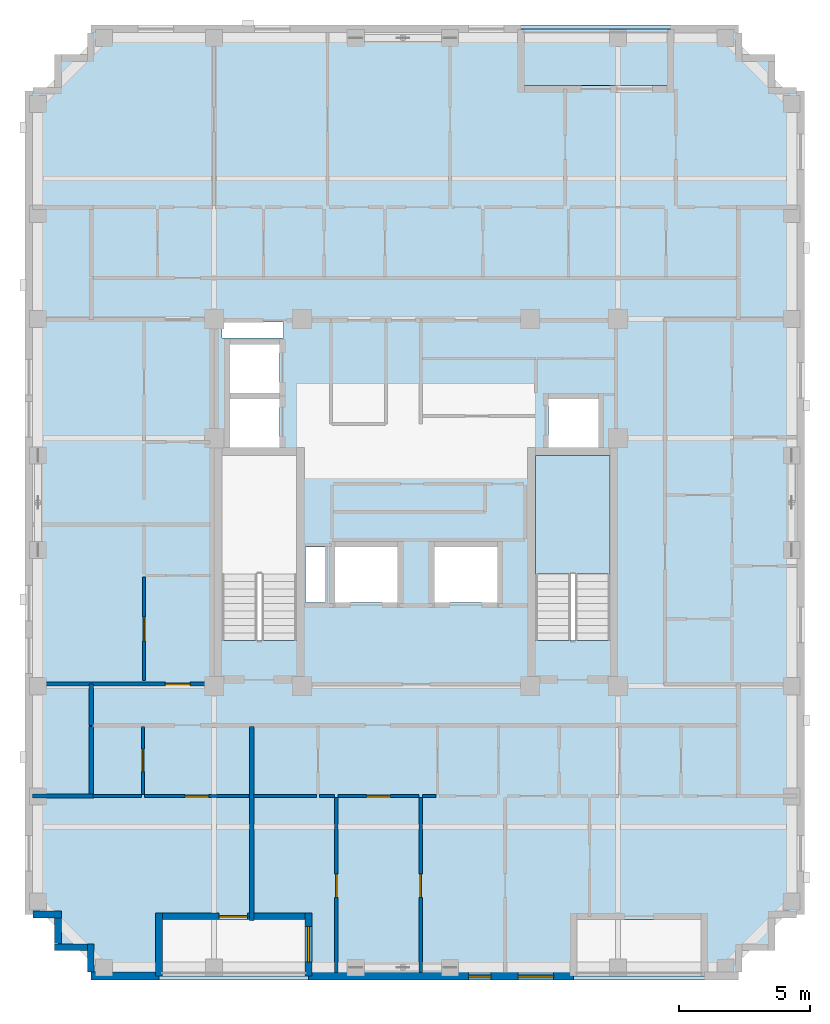
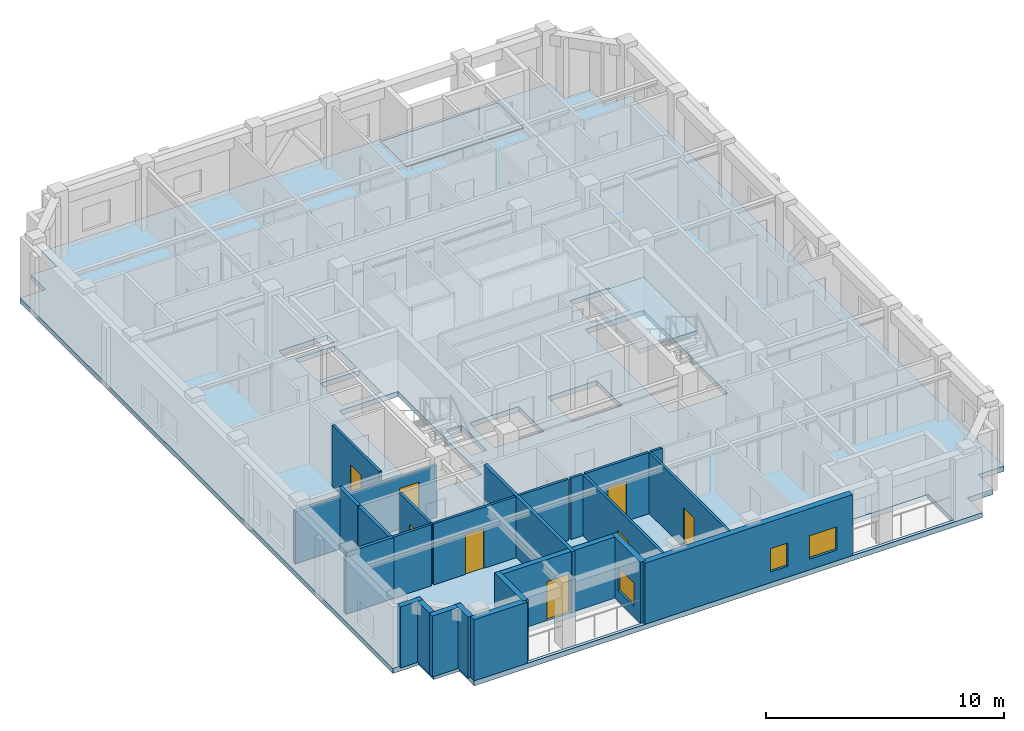
# One storey, part 2 of 11: 24 walls, 8 doors, 3 slabs, 3 windows, 11 openings, 1 element without a shape of its own.
"""IFC4 building model written with IfcOpenShell, lengths in metres."""

from ifc_helpers import new_model, si_unit, derived_unit, direction, frame, frame_2d, origin, place, context, subcontext, project, spatial, polyline, rectangle, outline, extrude, material, layer, layer_set, type_object, element, fill, aggregate, save


model = new_model("IFC4")

# Units and contexts
model_context = context("Model", 3, precision=1e-05, world=origin(), true_north=direction((0.0, 1.0)))
body_context = subcontext(model_context, "Body", "Model", "MODEL_VIEW")
ifc_project = project(units=[si_unit("LENGTHUNIT", "METRE"), si_unit("AREAUNIT", "SQUARE_METRE"), si_unit("VOLUMEUNIT", "CUBIC_METRE"), si_unit("PLANEANGLEUNIT", "RADIAN"), si_unit("MASSUNIT", "GRAM", prefix="KILO"), derived_unit("THERMALTRANSMITTANCEUNIT", [(si_unit("MASSUNIT", "GRAM", prefix="KILO"), 1), (si_unit("TIMEUNIT", "SECOND"), -3), (si_unit("THERMODYNAMICTEMPERATUREUNIT", "KELVIN"), -1)])], contexts=[model_context])

# Site, building, storey
site_placement = place(None, origin())
site = spatial("IfcSite", under=ifc_project, at=site_placement, CompositionType="ELEMENT")
building_placement = place(site_placement, origin())
building = spatial("IfcBuilding", under=site, at=building_placement, Name="Korrvale Station Residences", CompositionType="ELEMENT")
storey_placement = place(building_placement, frame((0.0, 0.0, 241.10009765625)))
storey = spatial("IfcBuildingStorey", under=building, at=storey_placement, Name="L70", CompositionType="ELEMENT", Elevation=241.10009765625)

# Slabs
ifc_material_1 = material(Name="Concrete C50/60", Category="concrete")
ifc_layer_1 = layer(ifc_material_1, 0.219970703125, Name="Concrete C50/60")
ifc_layer_set_1 = layer_set([ifc_layer_1], Name="Concrete C50/60")
slab_type_1 = type_object("IfcSlabType", Name="SLB-BAL-220", PredefinedType="FLOOR", material=ifc_layer_set_1)
slab_1_placement = place(storey_placement, frame((0.0, 0.0, -0.22021484375)))
element("IfcSlab", 1, at=slab_1_placement, inside=storey, type_object=slab_type_1, Name="L70 Recessed Loggia Balcony Slab BAL-L70-N1", PredefinedType="FLOOR", context=body_context, shape_type="SweptSolid", body=[
    extrude(outline(polyline([(29.5, 37.89990234375), (35.199951171875, 37.89990234375), (35.199951171875, 40.050048828125), (29.5, 40.050048828125), (29.5, 37.89990234375)])), origin(), (0.0, 0.0, 1.0), 0.22021484375),
])
ifc_layer_2 = layer(ifc_material_1, 0.260009765625, Name="Concrete C50/60")
ifc_layer_set_2 = layer_set([ifc_layer_2], Name="Concrete C50/60")
slab_type_2 = type_object("IfcSlabType", Name="SLB-FLR-260", PredefinedType="FLOOR", material=ifc_layer_set_2)
slab_2_placement = place(storey_placement, frame((0.0, 0.0, -0.260009765625)))
element("IfcSlab", 2, at=slab_2_placement, inside=storey, type_object=slab_type_2, Name="L70 Suspended Structural Floor Slab", PredefinedType="FLOOR", context=body_context, shape_type="SweptSolid", body=[
    extrude(outline(polyline([(13.10009765625, 3.800048828125), (37.800048828125, 3.800048828125), (37.800048828125, 5.050048828125), (39.050048828125, 5.050048828125), (39.050048828125, 6.300048828125), (40.300048828125, 6.300048828125), (40.300048828125, 37.699951171875), (39.050048828125, 37.699951171875), (39.050048828125, 38.949951171875), (37.800048828125, 38.949951171875), (37.800048828125, 40.199951171875), (13.10009765625, 40.199951171875), (13.10009765625, 38.949951171875), (11.85009765625, 38.949951171875), (11.85009765625, 37.699951171875), (10.60009765625, 37.699951171875), (10.60009765625, 6.300048828125), (11.85009765625, 6.300048828125), (11.85009765625, 5.050048828125), (13.10009765625, 5.050048828125), (13.10009765625, 3.800048828125)]), holes=[polyline([(20.949951171875, 16.751953125), (20.949951171875, 23.800048828125), (18.10009765625, 23.800048828125), (18.10009765625, 16.751953125), (20.949951171875, 16.751953125)]), polyline([(32.89990234375, 16.751953125), (32.89990234375, 23.800048828125), (30.050048828125, 23.800048828125), (30.050048828125, 16.751953125), (32.89990234375, 16.751953125)]), polyline([(18.39990234375, 24.10009765625), (20.300048828125, 24.10009765625), (20.300048828125, 25.949951171875), (18.39990234375, 25.949951171875), (18.39990234375, 24.10009765625)]), polyline([(18.39990234375, 26.169921875), (20.300048828125, 26.169921875), (20.300048828125, 28.02001953125), (18.39990234375, 28.02001953125), (18.39990234375, 26.169921875)]), polyline([(30.550048828125, 24.10009765625), (32.449951171875, 24.10009765625), (32.449951171875, 25.949951171875), (30.550048828125, 25.949951171875), (30.550048828125, 24.10009765625)]), polyline([(22.39990234375, 18.199951171875), (24.800048828125, 18.199951171875), (24.800048828125, 20.300048828125), (22.39990234375, 20.300048828125), (22.39990234375, 18.199951171875)]), polyline([(26.199951171875, 18.199951171875), (28.60009765625, 18.199951171875), (28.60009765625, 20.300048828125), (26.199951171875, 20.300048828125), (26.199951171875, 18.199951171875)]), polyline([(18.10009765625, 28.280029296875), (20.449951171875, 28.280029296875), (20.449951171875, 28.8798828125), (18.10009765625, 28.8798828125), (18.10009765625, 28.280029296875)]), polyline([(21.280029296875, 18.199951171875), (22.02001953125, 18.199951171875), (22.02001953125, 20.300048828125), (21.280029296875, 20.300048828125), (21.280029296875, 18.199951171875)]), polyline([(15.699951171875, 3.949951171875), (21.39990234375, 3.949951171875), (21.39990234375, 6.10009765625), (15.699951171875, 6.10009765625), (15.699951171875, 3.949951171875)]), polyline([(29.5, 37.89990234375), (35.199951171875, 37.89990234375), (35.199951171875, 40.050048828125), (29.5, 40.050048828125), (29.5, 37.89990234375)]), polyline([(31.5, 3.949951171875), (36.5, 3.949951171875), (36.5, 6.10009765625), (31.5, 6.10009765625), (31.5, 3.949951171875)])]), origin(), (0.0, 0.0, 1.0), 0.260009765625),
])

# Stair, slab
stair_type = type_object("IfcStairType", Name="STR-DL-1350-20R-1700", PredefinedType="HALF_TURN_STAIR", material=ifc_material_1)
stair_placement = place(storey_placement, origin())
stair = element("IfcStair", 3, at=stair_placement, inside=storey, type_object=stair_type, Name="L70 Exit Stair 2", PredefinedType="HALF_TURN_STAIR")
ifc_layer_3 = layer(ifc_material_1, 0.199951171875, Name="Concrete C50/60")
ifc_layer_set_3 = layer_set([ifc_layer_3], Name="Concrete C50/60")
slab_type_3 = type_object("IfcSlabType", Name="SLB-LND-200", PredefinedType="LANDING", material=ifc_layer_set_3)
slab_3_placement = place(storey_placement, frame((0.0, 0.0, 1.5)))
slab_3 = element("IfcSlab", 4, at=slab_3_placement, type_object=slab_type_3, Name="ST-2 landing 1", PredefinedType="LANDING", context=body_context, shape_type="SweptSolid", body=[
    extrude(outline(polyline([(32.89990234375, 19.27001953125), (32.89990234375, 23.800048828125), (30.050048828125, 23.800048828125), (30.050048828125, 19.27001953125), (32.89990234375, 19.27001953125)])), origin(), (0.0, 0.0, 1.0), 0.199951171875),
])
aggregate(stair, [slab_3])

# Wall, opening, window
ifc_material_2 = material(Name="Precast concrete C45/55", Category="concrete")
ifc_layer_4 = layer(ifc_material_2, 0.260009765625, Name="Precast concrete C45/55")
ifc_layer_set_4 = layer_set([ifc_layer_4], Name="Precast concrete C45/55")
wall_type_1 = type_object("IfcWallType", Name="WAL-EXT-LOG260", PredefinedType="SOLIDWALL", material=ifc_layer_set_4)
wall_1_placement = place(storey_placement, frame((21.39990234375, 3.9599609375, 0.0), z_axis=(0.0, 0.0, 1.0), x_axis=(0.0, 1.0, 0.0)))
wall_1 = element("IfcWall", 5, at=wall_1_placement, inside=storey, type_object=wall_type_1, Name="L70 Recessed Loggia Wall BAL-L70-S1-L", PredefinedType="SOLIDWALL", context=body_context, shape_type="SweptSolid", body=[
    extrude(rectangle(XDim=2.400146484375, YDim=0.260009765625, at=frame_2d((1.2001953125, 0.0))), origin(), (0.0, 0.0, 1.0), 3.139892578125),
])
opening_1_placement = place(wall_1_placement, frame((0.52490234375, 0.0, 0.550048828125)))
opening_1 = element("IfcOpeningElement", 6, at=opening_1_placement, cuts=wall_1, Name="Opening W-10", PredefinedType="OPENING", context=body_context, shape_type="SweptSolid", body=[
    extrude(rectangle(XDim=1.35009765625, YDim=1.199951171875, at=frame_2d((0.675048828125, 0.60009765625))), frame((0.0, 0.14013671875, 0.0), z_axis=(0.0, -1.0, 0.0), x_axis=(1.0, 0.0, 0.0)), (0.0, 0.0, 1.0), 0.280029296875),
])
ifc_material_3 = material(Name="Thermally broken aluminium frame with triple low-e glazing", Category="aluminium")
window_type_1 = type_object("IfcWindowType", Name="WIN-W10", PartitioningType="SINGLE_PANEL", PredefinedType="WINDOW", material=ifc_material_3)
window_1_placement = place(opening_1_placement, origin())
window_1 = element("IfcWindow", 7, at=window_1_placement, inside=storey, type_object=window_type_1, Name="L70 Punched Window 02", OverallHeight=1.199951171875, OverallWidth=1.35009765625, PartitioningType="SINGLE_PANEL", PredefinedType="WINDOW", context=body_context, shape_type="SweptSolid", body=[
    extrude(rectangle(XDim=1.35009765625, YDim=1.199951171875, at=frame_2d((0.675048828125, 0.60009765625))), frame((0.0, 0.030029296875, 0.0), z_axis=(0.0, -1.0, 0.0), x_axis=(1.0, 0.0, 0.0)), (0.0, 0.0, 1.0), 0.06005859375),
])
fill(opening_1, window_1)

# Wall, opening, door
wall_2_placement = place(storey_placement, frame((21.26611328125, 6.22998046875, 0.0), z_axis=(0.0, 0.0, 1.0), x_axis=(-1.0, 0.0, 0.0)))
wall_2 = element("IfcWall", 8, at=wall_2_placement, inside=storey, type_object=wall_type_1, Name="L70 Recessed Loggia Wall BAL-L70-S1-B", PredefinedType="SOLIDWALL", context=body_context, shape_type="SweptSolid", body=[
    extrude(rectangle(XDim=5.43212890625, YDim=0.260009765625, at=frame_2d((2.716064453125, 0.0))), origin(), (0.0, 0.0, 1.0), 3.139892578125),
])
opening_2_placement = place(wall_2_placement, frame((2.18701171875, 0.0, 0.0)))
opening_2 = element("IfcOpeningElement", 9, at=opening_2_placement, cuts=wall_2, Name="Opening BD-01", PredefinedType="OPENING", context=body_context, shape_type="SweptSolid", body=[
    extrude(rectangle(XDim=1.10009765625, YDim=2.0, at=frame_2d((0.550048828125, 1.0))), frame((0.0, 0.14013671875, 0.0), z_axis=(0.0, -1.0, 0.0), x_axis=(1.0, 0.0, 0.0)), (0.0, 0.0, 1.0), 0.280029296875),
])
ifc_material_4 = material(Name="Exterior thermally broken aluminium glazed balcony door", Category="aluminium")
door_type_1 = type_object("IfcDoorType", Name="DR-EXT-BAL", OperationType="NOTDEFINED", PredefinedType="DOOR", material=ifc_material_4)
door_1_placement = place(opening_2_placement, origin())
door_1 = element("IfcDoor", 10, at=door_1_placement, inside=storey, type_object=door_type_1, Name="L70 Loggia Balcony Door BAL-L70-S1", OperationType="SINGLE_SWING_LEFT", OverallHeight=2.0, OverallWidth=1.10009765625, PredefinedType="DOOR", context=body_context, shape_type="SweptSolid", body=[
    extrude(rectangle(XDim=1.10009765625, YDim=2.0, at=frame_2d((0.550048828125, 1.0))), frame((0.0, 0.02490234375, 0.0), z_axis=(0.0, -1.0, 0.0), x_axis=(1.0, 0.0, 0.0)), (0.0, 0.0, 1.0), 0.050048828125),
])
fill(opening_2, door_1)

# Walls
wall_3_placement = place(storey_placement, frame((15.699951171875, 6.360107421875, 0.0), z_axis=(0.0, 0.0, 1.0), x_axis=(0.0, -1.0, 0.0)))
element("IfcWall", 11, at=wall_3_placement, inside=storey, type_object=wall_type_1, Name="L70 Recessed Loggia Wall BAL-L70-S1-R", PredefinedType="SOLIDWALL", context=body_context, shape_type="SweptSolid", body=[
    extrude(rectangle(XDim=2.400146484375, YDim=0.260009765625, at=frame_2d((1.2001953125, 0.0))), origin(), (0.0, 0.0, 1.0), 3.139892578125),
])
wall_4_placement = place(storey_placement, frame((13.10009765625, 4.10205078125, 0.0), z_axis=(0.0, 0.0, 1.0), x_axis=(0.0, 1.0, 0.0)))
element("IfcWall", 12, at=wall_4_placement, inside=storey, type_object=wall_type_1, Name="L70 Serrated Corner Precast Step SW-1", PredefinedType="SOLIDWALL", context=body_context, shape_type="SweptSolid", body=[
    extrude(rectangle(XDim=1.077880859375, YDim=0.260009765625, at=frame_2d((0.5390625, 0.0))), origin(), (0.0, 0.0, 1.0), 3.139892578125),
])
wall_5_placement = place(storey_placement, frame((12.968017578125, 5.050048828125, 0.0), z_axis=(0.0, 0.0, 1.0), x_axis=(-1.0, 0.0, 0.0)))
element("IfcWall", 13, at=wall_5_placement, inside=storey, type_object=wall_type_1, Name="L70 Serrated Corner Precast Step SW-2", PredefinedType="SOLIDWALL", context=body_context, shape_type="SweptSolid", body=[
    extrude(rectangle(XDim=1.248046875, YDim=0.260009765625, at=frame_2d((0.6240234375, 0.0))), origin(), (0.0, 0.0, 1.0), 3.139892578125),
])
wall_6_placement = place(storey_placement, frame((11.85009765625, 5.181884765625, 0.0), z_axis=(0.0, 0.0, 1.0), x_axis=(0.0, 1.0, 0.0)))
element("IfcWall", 14, at=wall_6_placement, inside=storey, type_object=wall_type_1, Name="L70 Serrated Corner Precast Step SW-3", PredefinedType="SOLIDWALL", context=body_context, shape_type="SweptSolid", body=[
    extrude(rectangle(XDim=0.986083984375, YDim=0.260009765625, at=frame_2d((0.4931640625, 0.0))), origin(), (0.0, 0.0, 1.0), 3.139892578125),
])
wall_7_placement = place(storey_placement, frame((11.97998046875, 6.300048828125, 0.0), z_axis=(0.0, 0.0, 1.0), x_axis=(-1.0, 0.0, 0.0)))
element("IfcWall", 15, at=wall_7_placement, inside=storey, type_object=wall_type_1, Name="L70 Serrated Corner Precast Step SW-4", PredefinedType="SOLIDWALL", context=body_context, shape_type="SweptSolid", body=[
    extrude(rectangle(XDim=1.077880859375, YDim=0.260009765625, at=frame_2d((0.5390625, 0.0))), origin(), (0.0, 0.0, 1.0), 3.139892578125),
])

# Wall, openings, windows
ifc_layer_5 = layer(ifc_material_2, 0.300048828125, Name="Precast concrete C45/55")
ifc_layer_set_5 = layer_set([ifc_layer_5], Name="Precast concrete C45/55")
wall_type_2 = type_object("IfcWallType", Name="WAL-EXT-PC300", PredefinedType="SOLIDWALL", material=ifc_layer_set_5)
wall_8_placement = place(storey_placement, frame((31.5, 3.949951171875, 0.0), z_axis=(0.0, 0.0, 1.0), x_axis=(-1.0, 0.0, 0.0)))
wall_8 = element("IfcWall", 16, at=wall_8_placement, inside=storey, type_object=wall_type_2, Name="L70 South Exterior Precast Wall 2", PredefinedType="SOLIDWALL", context=body_context, shape_type="SweptSolid", body=[
    extrude(rectangle(XDim=10.10009765625, YDim=0.300048828125, at=frame_2d((5.050048828125, 0.0))), origin(), (0.0, 0.0, 1.0), 3.139892578125),
])
opening_3_placement = place(wall_8_placement, frame((3.14990234375, 0.0, 0.550048828125)))
opening_3 = element("IfcOpeningElement", 17, at=opening_3_placement, cuts=wall_8, Name="Opening W-11", PredefinedType="OPENING", context=body_context, shape_type="SweptSolid", body=[
    extrude(rectangle(XDim=0.85009765625, YDim=1.199951171875, at=frame_2d((0.425048828125, 0.60009765625))), frame((0.0, 0.16015625, 0.0), z_axis=(0.0, -1.0, 0.0), x_axis=(1.0, 0.0, 0.0)), (0.0, 0.0, 1.0), 0.320068359375),
])
opening_4_placement = place(wall_8_placement, frame((0.757080078125, 0.0, 0.550048828125)))
opening_4 = element("IfcOpeningElement", 18, at=opening_4_placement, cuts=wall_8, Name="Opening W-10", PredefinedType="OPENING", context=body_context, shape_type="SweptSolid", body=[
    extrude(rectangle(XDim=1.35009765625, YDim=1.199951171875, at=frame_2d((0.675048828125, 0.60009765625))), frame((0.0, 0.16015625, 0.0), z_axis=(0.0, -1.0, 0.0), x_axis=(1.0, 0.0, 0.0)), (0.0, 0.0, 1.0), 0.320068359375),
])
window_2_placement = place(opening_4_placement, origin())
window_2 = element("IfcWindow", 19, at=window_2_placement, inside=storey, type_object=window_type_1, Name="L70 Punched Window 04", OverallHeight=1.199951171875, OverallWidth=1.35009765625, PartitioningType="SINGLE_PANEL", PredefinedType="WINDOW", context=body_context, shape_type="SweptSolid", body=[
    extrude(rectangle(XDim=1.35009765625, YDim=1.199951171875, at=frame_2d((0.675048828125, 0.60009765625))), frame((0.0, 0.030029296875, 0.0), z_axis=(0.0, -1.0, 0.0), x_axis=(1.0, 0.0, 0.0)), (0.0, 0.0, 1.0), 0.06005859375),
])
fill(opening_4, window_2)
window_type_2 = type_object("IfcWindowType", Name="WIN-W11", PartitioningType="SINGLE_PANEL", PredefinedType="WINDOW", material=ifc_material_3)
window_3_placement = place(opening_3_placement, origin())
window_3 = element("IfcWindow", 20, at=window_3_placement, inside=storey, type_object=window_type_2, Name="L70 Punched Window 03", OverallHeight=1.199951171875, OverallWidth=0.85009765625, PartitioningType="SINGLE_PANEL", PredefinedType="WINDOW", context=body_context, shape_type="SweptSolid", body=[
    extrude(rectangle(XDim=0.85009765625, YDim=1.199951171875, at=frame_2d((0.425048828125, 0.60009765625))), frame((0.0, 0.030029296875, 0.0), z_axis=(0.0, -1.0, 0.0), x_axis=(1.0, 0.0, 0.0)), (0.0, 0.0, 1.0), 0.06005859375),
])
fill(opening_3, window_3)

# Wall
wall_9_placement = place(storey_placement, frame((15.699951171875, 3.949951171875, 0.0), z_axis=(0.0, 0.0, 1.0), x_axis=(-1.0, 0.0, 0.0)))
element("IfcWall", 21, at=wall_9_placement, inside=storey, type_object=wall_type_2, Name="L70 South Exterior Precast Wall 3", PredefinedType="SOLIDWALL", context=body_context, shape_type="SweptSolid", body=[
    extrude(rectangle(XDim=2.599853515625, YDim=0.300048828125, at=frame_2d((1.2998046875, 0.0))), origin(), (0.0, 0.0, 1.0), 3.139892578125),
])

# Wall, opening, door
ifc_material_5 = material(Name="Acoustic steel-stud gypsum board partition", Category="steel")
ifc_layer_6 = layer(ifc_material_5, 0.1201171875, Name="Acoustic steel-stud gypsum board partition")
ifc_layer_set_6 = layer_set([ifc_layer_6], Name="Acoustic steel-stud gypsum board partition")
wall_type_3 = type_object("IfcWallType", Name="WAL-PART-125", PredefinedType="PARTITIONING", material=ifc_layer_set_6)
wall_10_placement = place(storey_placement, frame((15.090087890625, 10.8701171875, 0.0), z_axis=(0.0, 0.0, 1.0), x_axis=(0.0, 1.0, 0.0)))
wall_10 = element("IfcWall", 22, at=wall_10_placement, inside=storey, type_object=wall_type_3, Name="L70 Suite Partition U01-V01", PredefinedType="PARTITIONING", context=body_context, shape_type="SweptSolid", body=[
    extrude(rectangle(XDim=2.599853515625, YDim=0.1201171875, at=frame_2d((1.2998046875, 0.0))), origin(), (0.0, 0.0, 1.0), 3.139892578125),
])
opening_5_placement = place(wall_10_placement, frame((0.8701171875, 0.0, 0.0)))
opening_5 = element("IfcOpeningElement", 23, at=opening_5_placement, cuts=wall_10, Name="Opening DB-860", PredefinedType="OPENING", context=body_context, shape_type="SweptSolid", body=[
    extrude(rectangle(XDim=0.860107421875, YDim=2.050048828125, at=frame_2d((0.43017578125, 1.02490234375))), frame((0.0, 0.070068359375, 0.0), z_axis=(0.0, -1.0, 0.0), x_axis=(1.0, 0.0, 0.0)), (0.0, 0.0, 1.0), 0.14013671875),
])
ifc_material_6 = material(Name="Moisture-resistant solid-core bathroom door", Category="timber")
door_type_2 = type_object("IfcDoorType", Name="DR-BATH-860", OperationType="NOTDEFINED", PredefinedType="DOOR", material=ifc_material_6)
door_2_placement = place(opening_5_placement, origin())
door_2 = element("IfcDoor", 24, at=door_2_placement, inside=storey, type_object=door_type_2, Name="L70 Studio Apartment L70-U01 Bathroom Door", OperationType="SINGLE_SWING_LEFT", OverallHeight=2.050048828125, OverallWidth=0.860107421875, PredefinedType="DOOR", context=body_context, shape_type="SweptSolid", body=[
    extrude(rectangle(XDim=0.860107421875, YDim=2.050048828125, at=frame_2d((0.43017578125, 1.02490234375))), frame((0.0, 0.02490234375, 0.0), z_axis=(0.0, -1.0, 0.0), x_axis=(1.0, 0.0, 0.0)), (0.0, 0.0, 1.0), 0.050048828125),
])
fill(opening_5, door_2)

# Wall
wall_11_placement = place(storey_placement, frame((13.179931640625, 10.81005859375, 0.0), z_axis=(0.0, 0.0, 1.0), x_axis=(1.0, 0.0, 0.0)))
element("IfcWall", 25, at=wall_11_placement, inside=storey, type_object=wall_type_3, Name="L70 Suite Partition U01-H02", PredefinedType="PARTITIONING", context=body_context, shape_type="SweptSolid", body=[
    extrude(rectangle(XDim=1.85009765625, YDim=0.1201171875, at=frame_2d((0.925048828125, 0.0))), origin(), (0.0, 0.0, 1.0), 3.139892578125),
])

# Wall, opening, door
wall_12_placement = place(storey_placement, frame((15.14990234375, 10.81005859375, 0.0), z_axis=(0.0, 0.0, 1.0), x_axis=(1.0, 0.0, 0.0)))
wall_12 = element("IfcWall", 26, at=wall_12_placement, inside=storey, type_object=wall_type_3, Name="L70 Suite Partition U01-H12", PredefinedType="PARTITIONING", context=body_context, shape_type="SweptSolid", body=[
    extrude(rectangle(XDim=3.989013671875, YDim=0.1201171875, at=frame_2d((1.99462890625, 0.0))), origin(), (0.0, 0.0, 1.0), 3.139892578125),
])
opening_6_placement = place(wall_12_placement, frame((1.5439453125, 0.0, 0.0)))
opening_6 = element("IfcOpeningElement", 27, at=opening_6_placement, cuts=wall_12, Name="Opening DI-900", PredefinedType="OPENING", context=body_context, shape_type="SweptSolid", body=[
    extrude(rectangle(XDim=0.89990234375, YDim=2.050048828125, at=frame_2d((0.449951171875, 1.02490234375))), frame((0.0, 0.070068359375, 0.0), z_axis=(0.0, -1.0, 0.0), x_axis=(1.0, 0.0, 0.0)), (0.0, 0.0, 1.0), 0.14013671875),
])
ifc_material_7 = material(Name="Painted solid-core timber interior room door", Category="wood")
door_type_3 = type_object("IfcDoorType", Name="DR-INT-900", OperationType="NOTDEFINED", PredefinedType="DOOR", material=ifc_material_7)
door_3_placement = place(opening_6_placement, origin())
door_3 = element("IfcDoor", 28, at=door_3_placement, inside=storey, type_object=door_type_3, Name="L70 Studio Apartment L70-U01 Kitchen Door", OperationType="SINGLE_SWING_RIGHT", OverallHeight=2.050048828125, OverallWidth=0.89990234375, PredefinedType="DOOR", context=body_context, shape_type="SweptSolid", body=[
    extrude(rectangle(XDim=0.89990234375, YDim=2.050048828125, at=frame_2d((0.449951171875, 1.02490234375))), frame((0.0, 0.02490234375, 0.0), z_axis=(0.0, -1.0, 0.0), x_axis=(1.0, 0.0, 0.0)), (0.0, 0.0, 1.0), 0.050048828125),
])
fill(opening_6, door_3)

# Walls
wall_13_placement = place(storey_placement, frame((19.299072265625, 10.81005859375, 0.0), z_axis=(0.0, 0.0, 1.0), x_axis=(1.0, 0.0, 0.0)))
element("IfcWall", 29, at=wall_13_placement, inside=storey, type_object=wall_type_3, Name="L70 Suite Partition U02-H07", PredefinedType="PARTITIONING", context=body_context, shape_type="SweptSolid", body=[
    extrude(rectangle(XDim=2.39990234375, YDim=0.1201171875, at=frame_2d((1.199951171875, 0.0))), origin(), (0.0, 0.0, 1.0), 3.139892578125),
])
wall_14_placement = place(storey_placement, frame((21.819091796875, 10.81005859375, 0.0), z_axis=(0.0, 0.0, 1.0), x_axis=(1.0, 0.0, 0.0)))
element("IfcWall", 30, at=wall_14_placement, inside=storey, type_object=wall_type_3, Name="L70 Suite Partition U02-H17", PredefinedType="PARTITIONING", context=body_context, shape_type="SweptSolid", body=[
    extrude(rectangle(XDim=0.579833984375, YDim=0.1201171875, at=frame_2d((0.2900390625, 0.0))), origin(), (0.0, 0.0, 1.0), 3.139892578125),
])

# Wall, opening, door
wall_15_placement = place(storey_placement, frame((22.51904296875, 10.81005859375, 0.0), z_axis=(0.0, 0.0, 1.0), x_axis=(1.0, 0.0, 0.0)))
wall_15 = element("IfcWall", 31, at=wall_15_placement, inside=storey, type_object=wall_type_3, Name="L70 Suite Partition U02-H18", PredefinedType="PARTITIONING", context=body_context, shape_type="SweptSolid", body=[
    extrude(rectangle(XDim=3.099853515625, YDim=0.1201171875, at=frame_2d((1.5498046875, 0.0))), origin(), (0.0, 0.0, 1.0), 3.139892578125),
])
opening_7_placement = place(wall_15_placement, frame((1.10009765625, 0.0, 0.0)))
opening_7 = element("IfcOpeningElement", 32, at=opening_7_placement, cuts=wall_15, Name="Opening DI-900", PredefinedType="OPENING", context=body_context, shape_type="SweptSolid", body=[
    extrude(rectangle(XDim=0.89990234375, YDim=2.050048828125, at=frame_2d((0.449951171875, 1.02490234375))), frame((0.0, 0.070068359375, 0.0), z_axis=(0.0, -1.0, 0.0), x_axis=(1.0, 0.0, 0.0)), (0.0, 0.0, 1.0), 0.14013671875),
])
door_4_placement = place(opening_7_placement, origin())
door_4 = element("IfcDoor", 33, at=door_4_placement, inside=storey, type_object=door_type_3, Name="L70 Studio Apartment L70-U02 Kitchen Door", OperationType="SINGLE_SWING_LEFT", OverallHeight=2.050048828125, OverallWidth=0.89990234375, PredefinedType="DOOR", context=body_context, shape_type="SweptSolid", body=[
    extrude(rectangle(XDim=0.89990234375, YDim=2.050048828125, at=frame_2d((0.449951171875, 1.02490234375))), frame((0.0, 0.02490234375, 0.0), z_axis=(0.0, -1.0, 0.0), x_axis=(1.0, 0.0, 0.0)), (0.0, 0.0, 1.0), 0.050048828125),
])
fill(opening_7, door_4)

# Wall
wall_16_placement = place(storey_placement, frame((25.739013671875, 10.81005859375, 0.0), z_axis=(0.0, 0.0, 1.0), x_axis=(1.0, 0.0, 0.0)))
element("IfcWall", 34, at=wall_16_placement, inside=storey, type_object=wall_type_3, Name="L70 Suite Partition U02-H19", PredefinedType="PARTITIONING", context=body_context, shape_type="SweptSolid", body=[
    extrude(rectangle(XDim=0.52001953125, YDim=0.1201171875, at=frame_2d((0.260009765625, 0.0))), origin(), (0.0, 0.0, 1.0), 3.139892578125),
])

# Wall, opening, door
wall_17_placement = place(storey_placement, frame((22.458984375, 4.080078125, 0.0), z_axis=(0.0, 0.0, 1.0), x_axis=(0.0, 1.0, 0.0)))
wall_17 = element("IfcWall", 35, at=wall_17_placement, inside=storey, type_object=wall_type_3, Name="L70 Suite Partition U02-V78", PredefinedType="PARTITIONING", context=body_context, shape_type="SweptSolid", body=[
    extrude(rectangle(XDim=6.669921875, YDim=0.1201171875, at=frame_2d((3.3349609375, 0.0))), origin(), (0.0, 0.0, 1.0), 3.139892578125),
])
opening_8_placement = place(wall_17_placement, frame((2.8701171875, 0.0, 0.0)))
opening_8 = element("IfcOpeningElement", 36, at=opening_8_placement, cuts=wall_17, Name="Opening DI-900", PredefinedType="OPENING", context=body_context, shape_type="SweptSolid", body=[
    extrude(rectangle(XDim=0.89990234375, YDim=2.050048828125, at=frame_2d((0.449951171875, 1.02490234375))), frame((0.0, 0.070068359375, 0.0), z_axis=(0.0, -1.0, 0.0), x_axis=(1.0, 0.0, 0.0)), (0.0, 0.0, 1.0), 0.14013671875),
])
door_5_placement = place(opening_8_placement, origin())
door_5 = element("IfcDoor", 37, at=door_5_placement, inside=storey, type_object=door_type_3, Name="L70 Studio Apartment L70-U02 Formal Dining Room Door", OperationType="SINGLE_SWING_RIGHT", OverallHeight=2.050048828125, OverallWidth=0.89990234375, PredefinedType="DOOR", context=body_context, shape_type="SweptSolid", body=[
    extrude(rectangle(XDim=0.89990234375, YDim=2.050048828125, at=frame_2d((0.449951171875, 1.02490234375))), frame((0.0, 0.02490234375, 0.0), z_axis=(0.0, -1.0, 0.0), x_axis=(1.0, 0.0, 0.0)), (0.0, 0.0, 1.0), 0.050048828125),
])
fill(opening_8, door_5)

wall_18_placement = place(storey_placement, frame((25.678955078125, 4.080078125, 0.0), z_axis=(0.0, 0.0, 1.0), x_axis=(0.0, 1.0, 0.0)))
wall_18 = element("IfcWall", 38, at=wall_18_placement, inside=storey, type_object=wall_type_3, Name="L70 Suite Partition U02-V89", PredefinedType="PARTITIONING", context=body_context, shape_type="SweptSolid", body=[
    extrude(rectangle(XDim=6.669921875, YDim=0.1201171875, at=frame_2d((3.3349609375, 0.0))), origin(), (0.0, 0.0, 1.0), 3.139892578125),
])
opening_9_placement = place(wall_18_placement, frame((2.8701171875, 0.0, 0.0)))
opening_9 = element("IfcOpeningElement", 39, at=opening_9_placement, cuts=wall_18, Name="Opening DI-900", PredefinedType="OPENING", context=body_context, shape_type="SweptSolid", body=[
    extrude(rectangle(XDim=0.89990234375, YDim=2.050048828125, at=frame_2d((0.449951171875, 1.02490234375))), frame((0.0, 0.070068359375, 0.0), z_axis=(0.0, -1.0, 0.0), x_axis=(1.0, 0.0, 0.0)), (0.0, 0.0, 1.0), 0.14013671875),
])
door_6_placement = place(opening_9_placement, origin())
door_6 = element("IfcDoor", 40, at=door_6_placement, inside=storey, type_object=door_type_3, Name="L70 Studio Apartment L70-U02 Walk-In Wardrobe Door", OperationType="SINGLE_SWING_LEFT", OverallHeight=2.050048828125, OverallWidth=0.89990234375, PredefinedType="DOOR", context=body_context, shape_type="SweptSolid", body=[
    extrude(rectangle(XDim=0.89990234375, YDim=2.050048828125, at=frame_2d((0.449951171875, 1.02490234375))), frame((0.0, 0.02490234375, 0.0), z_axis=(0.0, -1.0, 0.0), x_axis=(1.0, 0.0, 0.0)), (0.0, 0.0, 1.0), 0.050048828125),
])
fill(opening_9, door_6)

wall_19_placement = place(storey_placement, frame((15.1298828125, 15.2099609375, 0.0), z_axis=(0.0, 0.0, 1.0), x_axis=(0.0, 1.0, 0.0)))
wall_19 = element("IfcWall", 41, at=wall_19_placement, inside=storey, type_object=wall_type_3, Name="L70 Suite Partition U04-V12", PredefinedType="PARTITIONING", context=body_context, shape_type="SweptSolid", body=[
    extrude(rectangle(XDim=3.946044921875, YDim=0.1201171875, at=frame_2d((1.97314453125, 0.0))), origin(), (0.0, 0.0, 1.0), 3.139892578125),
])
opening_10_placement = place(wall_19_placement, frame((1.52294921875, 0.0, 0.0)))
opening_10 = element("IfcOpeningElement", 42, at=opening_10_placement, cuts=wall_19, Name="Opening DI-900", PredefinedType="OPENING", context=body_context, shape_type="SweptSolid", body=[
    extrude(rectangle(XDim=0.89990234375, YDim=2.050048828125, at=frame_2d((0.449951171875, 1.02490234375))), frame((0.0, 0.070068359375, 0.0), z_axis=(0.0, -1.0, 0.0), x_axis=(1.0, 0.0, 0.0)), (0.0, 0.0, 1.0), 0.14013671875),
])
door_7_placement = place(opening_10_placement, origin())
door_7 = element("IfcDoor", 43, at=door_7_placement, inside=storey, type_object=door_type_3, Name="L70 Studio Apartment L70-U04 Kitchen Door", OperationType="SINGLE_SWING_LEFT", OverallHeight=2.050048828125, OverallWidth=0.89990234375, PredefinedType="DOOR", context=body_context, shape_type="SweptSolid", body=[
    extrude(rectangle(XDim=0.89990234375, YDim=2.050048828125, at=frame_2d((0.449951171875, 1.02490234375))), frame((0.0, 0.02490234375, 0.0), z_axis=(0.0, -1.0, 0.0), x_axis=(1.0, 0.0, 0.0)), (0.0, 0.0, 1.0), 0.050048828125),
])
fill(opening_10, door_7)

# Walls
ifc_material_8 = material(Name="Fire-rated twin-stud gypsum and mineral wool shaftwall assembly", Category="gypsum")
ifc_layer_7 = layer(ifc_material_8, 0.159912109375, Name="Fire-rated twin-stud gypsum and mineral wool shaftwall assembly")
ifc_layer_set_7 = layer_set([ifc_layer_7], Name="Fire-rated twin-stud gypsum and mineral wool shaftwall assembly")
wall_type_4 = type_object("IfcWallType", Name="WAL-PART-200", PredefinedType="PARTITIONING", material=ifc_layer_set_7)
wall_20_placement = place(storey_placement, frame((13.1201171875, 13.510009765625, 0.0), z_axis=(0.0, 0.0, 1.0), x_axis=(0.0, 1.0, 0.0)))
element("IfcWall", 44, at=wall_20_placement, inside=storey, type_object=wall_type_4, Name="L70 Corridor South West Cap", PredefinedType="PARTITIONING", context=body_context, shape_type="SweptSolid", body=[
    extrude(rectangle(XDim=1.580078125, YDim=0.159912109375, at=frame_2d((0.7900390625, 0.0))), origin(), (0.0, 0.0, 1.0), 3.139892578125),
])
wall_21_placement = place(storey_placement, frame((10.8798828125, 10.81005859375, 0.0), z_axis=(0.0, 0.0, 1.0), x_axis=(1.0, 0.0, 0.0)))
element("IfcWall", 45, at=wall_21_placement, inside=storey, type_object=wall_type_4, Name="L70 Corner Step Wall U01-L", PredefinedType="PARTITIONING", context=body_context, shape_type="SweptSolid", body=[
    extrude(rectangle(XDim=2.340087890625, YDim=0.159912109375, at=frame_2d((1.169921875, 0.0))), origin(), (0.0, 0.0, 1.0), 3.139892578125),
])
wall_22_placement = place(storey_placement, frame((13.1201171875, 10.81005859375, 0.0), z_axis=(0.0, 0.0, 1.0), x_axis=(0.0, 1.0, 0.0)))
element("IfcWall", 46, at=wall_22_placement, inside=storey, type_object=wall_type_4, Name="L70 Corner Step Cheek U01-L", PredefinedType="PARTITIONING", context=body_context, shape_type="SweptSolid", body=[
    extrude(rectangle(XDim=2.659912109375, YDim=0.159912109375, at=frame_2d((1.330078125, 0.0))), origin(), (0.0, 0.0, 1.0), 3.139892578125),
])
wall_23_placement = place(storey_placement, frame((19.239013671875, 6.06005859375, 0.0), z_axis=(0.0, 0.0, 1.0), x_axis=(0.0, 1.0, 0.0)))
element("IfcWall", 47, at=wall_23_placement, inside=storey, type_object=wall_type_4, Name="L70 Demising Wall U02-W", PredefinedType="PARTITIONING", context=body_context, shape_type="SweptSolid", body=[
    extrude(rectangle(XDim=7.409912109375, YDim=0.159912109375, at=frame_2d((3.705078125, 0.0))), origin(), (0.0, 0.0, 1.0), 3.139892578125),
])

# Wall, opening, door
wall_24_placement = place(storey_placement, frame((10.8798828125, 15.080078125, 0.0), z_axis=(0.0, 0.0, 1.0), x_axis=(1.0, 0.0, 0.0)))
wall_24 = element("IfcWall", 48, at=wall_24_placement, inside=storey, type_object=wall_type_4, Name="L70 Side Suite South Entry Wall U04", PredefinedType="PARTITIONING", context=body_context, shape_type="SweptSolid", body=[
    extrude(rectangle(XDim=6.880126953125, YDim=0.159912109375, at=frame_2d((3.43994140625, 0.0))), origin(), (0.0, 0.0, 1.0), 2.66796875),
])
opening_11_placement = place(wall_24_placement, frame((5.06005859375, 0.0, 0.0)))
opening_11 = element("IfcOpeningElement", 49, at=opening_11_placement, cuts=wall_24, Name="Opening UD-950", PredefinedType="OPENING", context=body_context, shape_type="SweptSolid", body=[
    extrude(rectangle(XDim=0.949951171875, YDim=2.10009765625, at=frame_2d((0.47509765625, 1.050048828125))), frame((0.0, 0.08984375, 0.0), z_axis=(0.0, -1.0, 0.0), x_axis=(1.0, 0.0, 0.0)), (0.0, 0.0, 1.0), 0.179931640625),
])
ifc_material_9 = material(Name="Solid-core acoustic oak apartment entrance door", Category="timber")
door_type_4 = type_object("IfcDoorType", Name="DR-UNIT-950", OperationType="NOTDEFINED", PredefinedType="DOOR", material=ifc_material_9)
door_8_placement = place(opening_11_placement, origin())
door_8 = element("IfcDoor", 50, at=door_8_placement, inside=storey, type_object=door_type_4, Name="L70 Apartment L70-U04 Entrance Door", OperationType="SINGLE_SWING_LEFT", OverallHeight=2.10009765625, OverallWidth=0.949951171875, PredefinedType="DOOR", context=body_context, shape_type="SweptSolid", body=[
    extrude(rectangle(XDim=0.949951171875, YDim=2.10009765625, at=frame_2d((0.47509765625, 1.050048828125))), frame((0.0, 0.02490234375, 0.0), z_axis=(0.0, -1.0, 0.0), x_axis=(1.0, 0.0, 0.0)), (0.0, 0.0, 1.0), 0.050048828125),
])
fill(opening_11, door_8)

save(model, "model.ifc")
